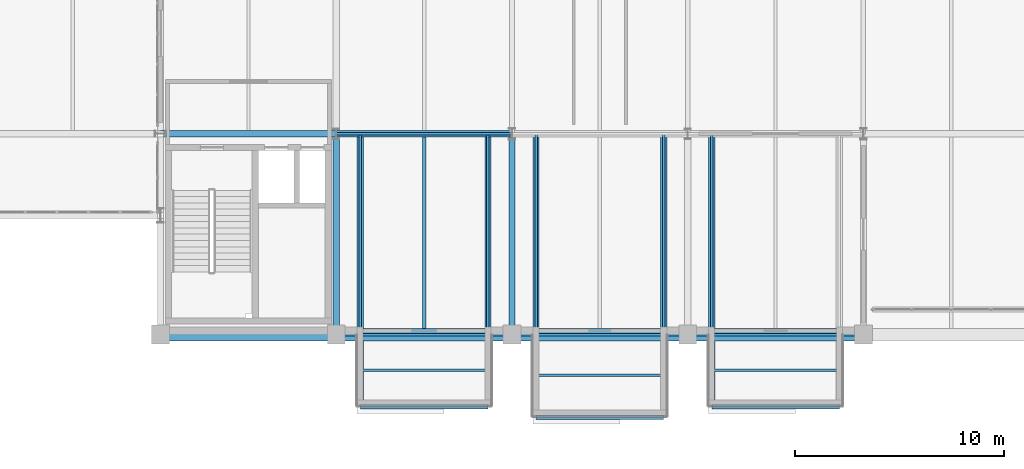
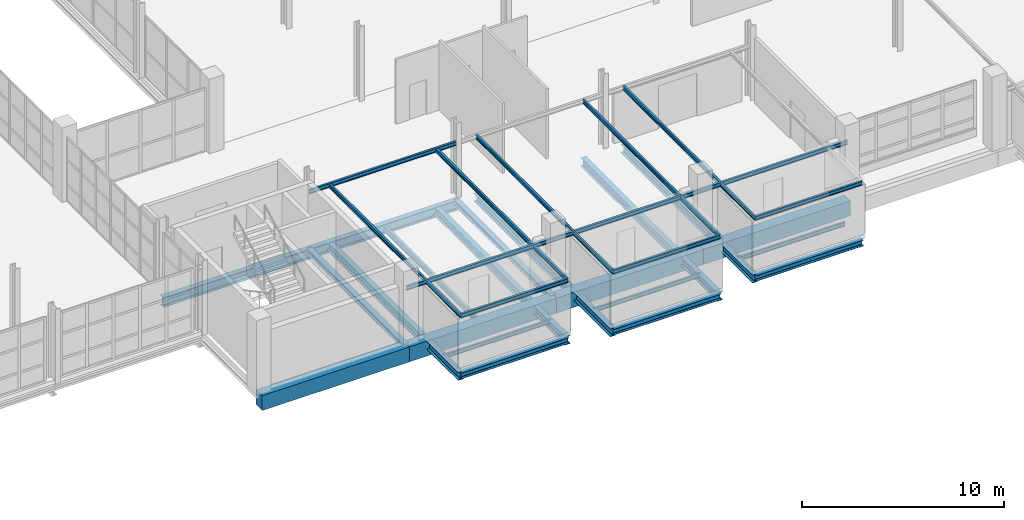
# One storey, part 22 of 109: 32 beams.
"""IFC4 building model written with IfcOpenShell, lengths in metres."""

import ifcopenshell
import ifcopenshell.guid

model = None  # the IFC model being written
_history = None  # IfcOwnerHistory: only IFC2X3 demands one
_inside = {}  # id of a spatial element -> (the spatial element, [elements in it])
_under = {}  # id of a project, library or spatial element -> (it, [spatial elements below it])
_declared = {}  # id of a project -> (the project, [libraries it declares])
_typed = {}  # id of a type object -> (the type object, [elements of that type])
_made_of = {}  # id of a material, layer set ... -> (it, [elements and type objects made of it])


def new_model(schema):
    """Start an empty IFC model of exactly this schema.

    Asked for "IFC4X3", IfcOpenShell would pick the latest addendum, in which some entities
    have other attributes; the version numbers below select the first issue.
    IFC2X3 requires an IfcOwnerHistory on every rooted entity: one is made here for all.
    """
    global model, _history
    if schema == "IFC4X3":
        model = ifcopenshell.file(schema_version=(4, 3, 0, 0))
    else:
        model = ifcopenshell.file(schema=schema)
    _inside.clear()
    _under.clear()
    _declared.clear()
    _typed.clear()
    _made_of.clear()
    _history = None
    if model.schema == "IFC2X3":
        org = make("IfcOrganization", Name="unknown")
        user = make(
            "IfcPersonAndOrganization",
            ThePerson=make("IfcPerson", FamilyName="unknown"),
            TheOrganization=org,
        )
        app = make(
            "IfcApplication",
            ApplicationDeveloper=org,
            Version="unknown",
            ApplicationFullName="unknown",
            ApplicationIdentifier="unknown",
        )
        _history = make(
            "IfcOwnerHistory",
            OwningUser=user,
            OwningApplication=app,
            ChangeAction="ADDED",
            CreationDate=0,
        )
    return model


def make(cls, **values):
    """One entity of the class cls with the attributes given. An attribute that is None is left unset."""
    return model.create_entity(
        cls, **{name: value for name, value in values.items() if value is not None}
    )


def rooted(cls, **values):
    """An entity with a GlobalId (a new one), such as an element, a storey or a relation."""
    return make(cls, GlobalId=ifcopenshell.guid.new(), OwnerHistory=_history, **values)


def si_unit(unit_type, name, prefix=None):
    """IfcSIUnit, for example si_unit("LENGTHUNIT", "METRE", prefix="MILLI")."""
    return make("IfcSIUnit", UnitType=unit_type, Prefix=prefix, Name=name)


def assignment(units):
    """IfcUnitAssignment: the units of a project."""
    return None if units is None else make("IfcUnitAssignment", Units=units)


def point(xyz):
    """IfcCartesianPoint."""
    return None if xyz is None else make("IfcCartesianPoint", Coordinates=xyz)


def direction(xyz):
    """IfcDirection."""
    return None if xyz is None else make("IfcDirection", DirectionRatios=xyz)


def frame(location, z_axis=None, x_axis=None):
    """IfcAxis2Placement3D, a coordinate frame: its origin and axes. An axis left out is left unset."""
    return make(
        "IfcAxis2Placement3D",
        Location=point(location),
        Axis=direction(z_axis),
        RefDirection=direction(x_axis),
    )


def frame_2d(location, x_axis=None):
    """IfcAxis2Placement2D, a coordinate frame in the plane: its origin and x axis."""
    return make(
        "IfcAxis2Placement2D", Location=point(location), RefDirection=direction(x_axis)
    )


def origin():
    """The frame at (0, 0, 0) with its axes left unset."""
    return frame((0.0, 0.0, 0.0))


def origin_2d():
    """The frame at (0, 0) in the plane with its x axis left unset."""
    return frame_2d((0.0, 0.0))


def place(relative_to, where):
    """IfcLocalPlacement: puts the frame where relative to a parent placement (None: the world)."""
    return make(
        "IfcLocalPlacement", PlacementRelTo=relative_to, RelativePlacement=where
    )


def context(
    kind, dimensions, precision=None, world=None, true_north=None, identifier=None
):
    """IfcGeometricRepresentationContext, for example the 3D "Model" context."""
    return make(
        "IfcGeometricRepresentationContext",
        ContextIdentifier=identifier,
        ContextType=kind,
        CoordinateSpaceDimension=dimensions,
        Precision=precision,
        WorldCoordinateSystem=world,
        TrueNorth=true_north,
    )


def subcontext(parent, identifier, kind, view, scale=None):
    """IfcGeometricRepresentationSubContext, for example "Body" below "Model"."""
    return make(
        "IfcGeometricRepresentationSubContext",
        ContextIdentifier=identifier,
        ContextType=kind,
        ParentContext=parent,
        TargetScale=scale,
        TargetView=view,
    )


def project(units=None, contexts=None):
    """IfcProject with its units and contexts."""
    return rooted(
        "IfcProject",
        Name="project",
        RepresentationContexts=contexts,
        UnitsInContext=assignment(units),
    )


def spatial(cls, under=None, at=None, **own):
    """A site, building, storey or space (cls), placed at a placement, below another one or the project."""
    s = rooted(cls, ObjectPlacement=at, **own)
    if under is not None:
        _under.setdefault(under.id(), (under, []))[1].append(s)
    return s


def profile(cls, at=None, kind="AREA", **sizes):
    """A parametric profile (cls). Its sizes go by their IFC names, for example OverallWidth=200.0."""
    return make(cls, ProfileType=kind, Position=at, **sizes)


def rectangle(**sizes):
    """IfcRectangleProfileDef."""
    return profile("IfcRectangleProfileDef", **sizes)


def i_section(**sizes):
    """IfcIShapeProfileDef."""
    return profile("IfcIShapeProfileDef", **sizes)


def extrude(swept, where, along, depth):
    """IfcExtrudedAreaSolid: the profile swept, set in the frame where, extruded along a direction by depth."""
    return make(
        "IfcExtrudedAreaSolid",
        SweptArea=swept,
        Position=where,
        ExtrudedDirection=direction(along),
        Depth=depth,
    )


def shape(context_of_items, identifier, shape_type, items):
    """IfcShapeRepresentation: the items that make up one representation, for example the "Body"."""
    return make(
        "IfcShapeRepresentation",
        ContextOfItems=context_of_items,
        RepresentationIdentifier=identifier,
        RepresentationType=shape_type,
        Items=items,
    )


def material(Name=None, Category=None):
    """IfcMaterial."""
    return make("IfcMaterial", Name=Name, Category=Category)


def material_profile(
    of_material, cross_section, Name=None, Category=None, Priority=None
):
    """IfcMaterialProfile: a cross section and its material."""
    return make(
        "IfcMaterialProfile",
        Name=Name,
        Material=of_material,
        Profile=cross_section,
        Priority=Priority,
        Category=Category,
    )


def profile_set(profiles, Name=None, composite=None):
    """IfcMaterialProfileSet."""
    return make(
        "IfcMaterialProfileSet",
        Name=Name,
        MaterialProfiles=profiles,
        CompositeProfile=composite,
    )


def made_of(thing, what):
    """Note that an element or type object is made of a material, layer set ...; save() writes the relation."""
    if what is not None:
        _made_of.setdefault(what.id(), (what, []))[1].append(thing)
    return thing


def type_object(cls, material=None, **own):
    """A type object (cls), such as IfcWallType, which elements share."""
    return made_of(rooted(cls, **own), material)


def element(
    cls,
    number,
    at=None,
    inside=None,
    cuts=None,
    type_object=None,
    material=None,
    context=None,
    identifier="Body",
    shape_type=None,
    held_by="IfcProductDefinitionShape",
    body=None,
    shapes=None,
    **own,
):
    """One element of the class cls, such as IfcWall. Its Tag is "e" and its number.

    at: its placement. inside: the storey or other place that contains it. cuts: it is an
    opening in that element (IfcRelVoidsElement). A single representation is given by context,
    identifier, shape_type and body (its items); several are given by shapes. held_by: the class
    of the entity that holds the representations. save() writes the other relations.
    """
    e = rooted(cls, Tag="e%d" % number, ObjectPlacement=at, **own)
    if body is not None:
        shapes = [shape(context, identifier, shape_type, body)]
    if shapes is not None:
        e.Representation = make(held_by, Representations=shapes)
    if inside is not None:
        _inside.setdefault(inside.id(), (inside, []))[1].append(e)
    if cuts is not None:
        rooted(
            "IfcRelVoidsElement", RelatingBuildingElement=cuts, RelatedOpeningElement=e
        )
    if type_object is not None:
        _typed.setdefault(type_object.id(), (type_object, []))[1].append(e)
    return made_of(e, material)


def aggregate(whole, parts):
    """IfcRelAggregates: a whole, such as a stair, and the parts it consists of."""
    return rooted("IfcRelAggregates", RelatingObject=whole, RelatedObjects=parts)


def save(model, path):
    """Write the relations noted so far, then the file.

    IfcRelAggregates (storeys below a building ...), IfcRelContainedInSpatialStructure (elements
    in a storey), IfcRelDefinesByType, IfcRelAssociatesMaterial and IfcRelDeclares: one each for
    every whole, place, type object, material and project.
    """
    for whole, parts in _under.values():
        aggregate(whole, parts)
    for where, things in _inside.values():
        rooted(
            "IfcRelContainedInSpatialStructure",
            RelatedElements=things,
            RelatingStructure=where,
        )
    for kind, things in _typed.values():
        rooted("IfcRelDefinesByType", RelatedObjects=things, RelatingType=kind)
    for what, things in _made_of.values():
        rooted("IfcRelAssociatesMaterial", RelatedObjects=things, RelatingMaterial=what)
    for by, libraries in _declared.values():
        rooted("IfcRelDeclares", RelatingContext=by, RelatedDefinitions=libraries)
    model.write(path)


model = new_model("IFC4")

# Units and contexts
model_context = context("Model", 3, precision=1e-05, world=origin(), true_north=direction((0.0, 1.0)))
body_context = subcontext(model_context, "Body", "Model", "MODEL_VIEW")
ifc_project = project(units=[si_unit("LENGTHUNIT", "METRE"), si_unit("AREAUNIT", "SQUARE_METRE"), si_unit("VOLUMEUNIT", "CUBIC_METRE"), si_unit("PLANEANGLEUNIT", "RADIAN"), si_unit("MASSUNIT", "GRAM", prefix="KILO")], contexts=[model_context])

# Site, building, storey
site_placement = place(None, origin())
site = spatial("IfcSite", under=ifc_project, at=site_placement, CompositionType="ELEMENT")
building_placement = place(site_placement, origin())
building = spatial("IfcBuilding", under=site, at=building_placement, Name="Veltarok Museum of Natural Sciences", CompositionType="ELEMENT")
storey_placement = place(building_placement, frame((0.0, 0.0, 17.39990234375)))
storey = spatial("IfcBuildingStorey", under=building, at=storey_placement, Name="L03", CompositionType="ELEMENT", Elevation=17.39990234375)

# Beams
ifc_material_1 = material(Name="Steel S355J2", Category="steel")
ifc_material_profile_1 = material_profile(ifc_material_1, i_section(OverallWidth=0.300048828125, OverallDepth=0.5, WebThickness=0.014404296875, FlangeThickness=0.028076171875, FilletRadius=0.027099609375, at=origin_2d()), Name="HEB 500")
ifc_profile_set_1 = profile_set([ifc_material_profile_1], Name="Steel S355J2")
beam_type_1 = type_object("IfcBeamType", Name="Cabinet Box Cantilever Girder HEB 500", PredefinedType="BEAM", material=ifc_profile_set_1)
for number, where, z_axis, x_axis, name in (
    (1, (41.14990234375, -3.39990234375, -0.5), (0.0, 1.0, 0.0), (-1.0, 0.0, 0.0), "Cabinet Cantilever Girder DB-13-1"),
    (2, (47.25, -3.39990234375, -0.5), (0.0, 1.0, 0.0), (-1.0, 0.0, 0.0), "Cabinet Cantilever Girder DB-13-2"),
):
    element("IfcBeam", number, at=place(storey_placement, frame(where, z_axis=z_axis, x_axis=x_axis)), inside=storey, type_object=beam_type_1, Name=name, PredefinedType="BEAM", context=body_context, shape_type="SweptSolid", body=[
        extrude(i_section(OverallWidth=0.300048828125, OverallDepth=0.5, WebThickness=0.014404296875, FlangeThickness=0.028076171875, FilletRadius=0.027099609375, at=origin_2d()), origin(), (0.0, 0.0, 1.0), 13.0),
    ])
for number, where, z_axis, x_axis, name in (
    (3, (49.550048828125, -3.89990234375, -0.5), (0.0, 1.0, 0.0), (-1.0, 0.0, 0.0), "Cabinet Cantilever Girder DB-14-1"),
    (4, (55.64990234375, -3.89990234375, -0.5), (0.0, 1.0, 0.0), (-1.0, 0.0, 0.0), "Cabinet Cantilever Girder DB-14-2"),
):
    element("IfcBeam", number, at=place(storey_placement, frame(where, z_axis=z_axis, x_axis=x_axis)), inside=storey, type_object=beam_type_1, Name=name, PredefinedType="BEAM", context=body_context, shape_type="SweptSolid", body=[
        extrude(i_section(OverallWidth=0.300048828125, OverallDepth=0.5, WebThickness=0.014404296875, FlangeThickness=0.028076171875, FilletRadius=0.027099609375, at=origin_2d()), origin(), (0.0, 0.0, 1.0), 13.5),
    ])
beam_1_placement = place(storey_placement, frame((57.949951171875, -3.39990234375, -0.5), z_axis=(0.0, 1.0, 0.0), x_axis=(-1.0, 0.0, 0.0)))
element("IfcBeam", 5, at=beam_1_placement, inside=storey, type_object=beam_type_1, Name="Cabinet Cantilever Girder DB-15-1", PredefinedType="BEAM", context=body_context, shape_type="SweptSolid", body=[
    extrude(i_section(OverallWidth=0.300048828125, OverallDepth=0.5, WebThickness=0.014404296875, FlangeThickness=0.028076171875, FilletRadius=0.027099609375, at=origin_2d()), origin(), (0.0, 0.0, 1.0), 13.0),
])
ifc_material_profile_2 = material_profile(ifc_material_1, i_section(OverallWidth=0.1201171875, OverallDepth=0.239990234375, WebThickness=0.006103515625, FlangeThickness=0.009765625, FilletRadius=0.014892578125, at=origin_2d()), Name="IPE 240")
ifc_profile_set_2 = profile_set([ifc_material_profile_2], Name="Steel S355J2")
beam_type_2 = type_object("IfcBeamType", Name="Cabinet Box Secondary Joist IPE 240", PredefinedType="JOIST", material=ifc_profile_set_2)
for number, where, z_axis, x_axis, name in (
    (6, (41.14990234375, -3.39990234375, 3.130126953125), (0.0, 1.0, 0.0), (-1.0, 0.0, 0.0), "Cabinet Roof Rafter DB-13-1"),
    (7, (47.25, -3.39990234375, 3.130126953125), (0.0, 1.0, 0.0), (-1.0, 0.0, 0.0), "Cabinet Roof Rafter DB-13-2"),
):
    element("IfcBeam", number, at=place(storey_placement, frame(where, z_axis=z_axis, x_axis=x_axis)), inside=storey, type_object=beam_type_2, Name=name, PredefinedType="JOIST", context=body_context, shape_type="SweptSolid", body=[
        extrude(i_section(OverallWidth=0.1201171875, OverallDepth=0.239990234375, WebThickness=0.006103515625, FlangeThickness=0.009765625, FilletRadius=0.014892578125, at=origin_2d()), origin(), (0.0, 0.0, 1.0), 13.0),
    ])
for number, where, z_axis, x_axis, name in (
    (8, (40.0, 0.0, 3.130126953125), (1.0, 0.0, 0.0), (0.0, 1.0, 0.0), "Cabinet Roof Tie Beam DB-13-P"),
    (9, (40.0, 9.60009765625, 3.130126953125), (1.0, 0.0, 0.0), (0.0, 1.0, 0.0), "Cabinet Roof Tie Beam DB-13-I"),
):
    element("IfcBeam", number, at=place(storey_placement, frame(where, z_axis=z_axis, x_axis=x_axis)), inside=storey, type_object=beam_type_2, Name=name, PredefinedType="JOIST", context=body_context, shape_type="SweptSolid", body=[
        extrude(i_section(OverallWidth=0.1201171875, OverallDepth=0.239990234375, WebThickness=0.006103515625, FlangeThickness=0.009765625, FilletRadius=0.014892578125, at=origin_2d()), origin(), (0.0, 0.0, 1.0), 8.39990234375),
    ])
for number, where, z_axis, x_axis, name in (
    (10, (41.14990234375, -3.39990234375, 3.130126953125), (1.0, 0.0, 0.0), (0.0, 1.0, 0.0), "Cabinet Roof Tip Header DB-13"),
    (11, (41.14990234375, -1.699951171875, -0.369873046875), (1.0, 0.0, 0.0), (0.0, 1.0, 0.0), "Cabinet Box Joist DB-13"),
):
    element("IfcBeam", number, at=place(storey_placement, frame(where, z_axis=z_axis, x_axis=x_axis)), inside=storey, type_object=beam_type_2, Name=name, PredefinedType="JOIST", context=body_context, shape_type="SweptSolid", body=[
        extrude(i_section(OverallWidth=0.1201171875, OverallDepth=0.239990234375, WebThickness=0.006103515625, FlangeThickness=0.009765625, FilletRadius=0.014892578125, at=origin_2d()), origin(), (0.0, 0.0, 1.0), 6.10009765625),
    ])
for number, where, z_axis, x_axis, name in (
    (12, (49.550048828125, -3.89990234375, 3.130126953125), (0.0, 1.0, 0.0), (-1.0, 0.0, 0.0), "Cabinet Roof Rafter DB-14-1"),
    (13, (55.64990234375, -3.89990234375, 3.130126953125), (0.0, 1.0, 0.0), (-1.0, 0.0, 0.0), "Cabinet Roof Rafter DB-14-2"),
):
    element("IfcBeam", number, at=place(storey_placement, frame(where, z_axis=z_axis, x_axis=x_axis)), inside=storey, type_object=beam_type_2, Name=name, PredefinedType="JOIST", context=body_context, shape_type="SweptSolid", body=[
        extrude(i_section(OverallWidth=0.1201171875, OverallDepth=0.239990234375, WebThickness=0.006103515625, FlangeThickness=0.009765625, FilletRadius=0.014892578125, at=origin_2d()), origin(), (0.0, 0.0, 1.0), 13.5),
    ])
beam_2_placement = place(storey_placement, frame((48.39990234375, 0.0, 3.130126953125), z_axis=(1.0, 0.0, 0.0), x_axis=(0.0, 1.0, 0.0)))
element("IfcBeam", 14, at=beam_2_placement, inside=storey, type_object=beam_type_2, Name="Cabinet Roof Tie Beam DB-14-P", PredefinedType="JOIST", context=body_context, shape_type="SweptSolid", body=[
    extrude(i_section(OverallWidth=0.1201171875, OverallDepth=0.239990234375, WebThickness=0.006103515625, FlangeThickness=0.009765625, FilletRadius=0.014892578125, at=origin_2d()), origin(), (0.0, 0.0, 1.0), 8.400146484375),
])
for number, where, z_axis, x_axis, name in (
    (15, (49.550048828125, -3.89990234375, 3.130126953125), (1.0, 0.0, 0.0), (0.0, 1.0, 0.0), "Cabinet Roof Tip Header DB-14"),
    (16, (49.550048828125, -1.949951171875, -0.369873046875), (1.0, 0.0, 0.0), (0.0, 1.0, 0.0), "Cabinet Box Joist DB-14"),
):
    element("IfcBeam", number, at=place(storey_placement, frame(where, z_axis=z_axis, x_axis=x_axis)), inside=storey, type_object=beam_type_2, Name=name, PredefinedType="JOIST", context=body_context, shape_type="SweptSolid", body=[
        extrude(i_section(OverallWidth=0.1201171875, OverallDepth=0.239990234375, WebThickness=0.006103515625, FlangeThickness=0.009765625, FilletRadius=0.014892578125, at=origin_2d()), origin(), (0.0, 0.0, 1.0), 6.099853515625),
    ])
beam_3_placement = place(storey_placement, frame((57.949951171875, -3.39990234375, 3.130126953125), z_axis=(0.0, 1.0, 0.0), x_axis=(-1.0, 0.0, 0.0)))
element("IfcBeam", 17, at=beam_3_placement, inside=storey, type_object=beam_type_2, Name="Cabinet Roof Rafter DB-15-1", PredefinedType="JOIST", context=body_context, shape_type="SweptSolid", body=[
    extrude(i_section(OverallWidth=0.1201171875, OverallDepth=0.239990234375, WebThickness=0.006103515625, FlangeThickness=0.009765625, FilletRadius=0.014892578125, at=origin_2d()), origin(), (0.0, 0.0, 1.0), 13.0),
])
beam_4_placement = place(storey_placement, frame((56.800048828125, 0.0, 3.130126953125), z_axis=(1.0, 0.0, 0.0), x_axis=(0.0, 1.0, 0.0)))
element("IfcBeam", 18, at=beam_4_placement, inside=storey, type_object=beam_type_2, Name="Cabinet Roof Tie Beam DB-15-P", PredefinedType="JOIST", context=body_context, shape_type="SweptSolid", body=[
    extrude(i_section(OverallWidth=0.1201171875, OverallDepth=0.239990234375, WebThickness=0.006103515625, FlangeThickness=0.009765625, FilletRadius=0.014892578125, at=origin_2d()), origin(), (0.0, 0.0, 1.0), 8.39990234375),
])
for number, where, z_axis, x_axis, name in (
    (19, (57.949951171875, -3.39990234375, 3.130126953125), (1.0, 0.0, 0.0), (0.0, 1.0, 0.0), "Cabinet Roof Tip Header DB-15"),
    (20, (57.949951171875, -1.699951171875, -0.369873046875), (1.0, 0.0, 0.0), (0.0, 1.0, 0.0), "Cabinet Box Joist DB-15"),
):
    element("IfcBeam", number, at=place(storey_placement, frame(where, z_axis=z_axis, x_axis=x_axis)), inside=storey, type_object=beam_type_2, Name=name, PredefinedType="JOIST", context=body_context, shape_type="SweptSolid", body=[
        extrude(i_section(OverallWidth=0.1201171875, OverallDepth=0.239990234375, WebThickness=0.006103515625, FlangeThickness=0.009765625, FilletRadius=0.014892578125, at=origin_2d()), origin(), (0.0, 0.0, 1.0), 6.10009765625),
    ])
ifc_material_profile_3 = material_profile(ifc_material_1, i_section(OverallWidth=0.300048828125, OverallDepth=0.35009765625, WebThickness=0.010009765625, FlangeThickness=0.017578125, FilletRadius=0.027099609375, at=origin_2d()), Name="HEA 360")
ifc_profile_set_3 = profile_set([ifc_material_profile_3], Name="Steel S355J2")
beam_type_3 = type_object("IfcBeamType", Name="Cabinet Box Tip Header HEA 360", PredefinedType="BEAM", material=ifc_profile_set_3)
beam_5_placement = place(storey_placement, frame((41.14990234375, -3.39990234375, -0.4248046875), z_axis=(1.0, 0.0, 0.0), x_axis=(0.0, 1.0, 0.0)))
element("IfcBeam", 21, at=beam_5_placement, inside=storey, type_object=beam_type_3, Name="Cabinet Tip Header DB-13", PredefinedType="BEAM", context=body_context, shape_type="SweptSolid", body=[
    extrude(i_section(OverallWidth=0.300048828125, OverallDepth=0.35009765625, WebThickness=0.010009765625, FlangeThickness=0.017578125, FilletRadius=0.027099609375, at=origin_2d()), origin(), (0.0, 0.0, 1.0), 6.10009765625),
])
beam_6_placement = place(storey_placement, frame((49.550048828125, -3.89990234375, -0.4248046875), z_axis=(1.0, 0.0, 0.0), x_axis=(0.0, 1.0, 0.0)))
element("IfcBeam", 22, at=beam_6_placement, inside=storey, type_object=beam_type_3, Name="Cabinet Tip Header DB-14", PredefinedType="BEAM", context=body_context, shape_type="SweptSolid", body=[
    extrude(i_section(OverallWidth=0.300048828125, OverallDepth=0.35009765625, WebThickness=0.010009765625, FlangeThickness=0.017578125, FilletRadius=0.027099609375, at=origin_2d()), origin(), (0.0, 0.0, 1.0), 6.099853515625),
])
beam_7_placement = place(storey_placement, frame((57.949951171875, -3.39990234375, -0.4248046875), z_axis=(1.0, 0.0, 0.0), x_axis=(0.0, 1.0, 0.0)))
element("IfcBeam", 23, at=beam_7_placement, inside=storey, type_object=beam_type_3, Name="Cabinet Tip Header DB-15", PredefinedType="BEAM", context=body_context, shape_type="SweptSolid", body=[
    extrude(i_section(OverallWidth=0.300048828125, OverallDepth=0.35009765625, WebThickness=0.010009765625, FlangeThickness=0.017578125, FilletRadius=0.027099609375, at=origin_2d()), origin(), (0.0, 0.0, 1.0), 6.10009765625),
])
ifc_material_2 = material(Name="Concrete C40/50", Category="concrete")
ifc_material_profile_4 = material_profile(ifc_material_2, rectangle(XDim=0.60009765625, YDim=0.89990234375, at=origin_2d()), Name="RC 600x900")
ifc_profile_set_4 = profile_set([ifc_material_profile_4], Name="Concrete C40/50")
beam_type_4 = type_object("IfcBeamType", Name="Exposed Cabinet Perimeter Spandrel RC 600x900", PredefinedType="SPANDREL", material=ifc_profile_set_4)
for number, where, z_axis, x_axis, name in (
    (24, (31.60009765625, 0.0, -0.699951171875), (1.0, 0.0, 0.0), (0.0, 1.0, 0.0), "Beam BM-SP01 L03 4-5/A"),
    (25, (40.0, 0.0, -0.699951171875), (1.0, 0.0, 0.0), (0.0, 1.0, 0.0), "Beam BM-SP01 L03 5-6/A"),
):
    element("IfcBeam", number, at=place(storey_placement, frame(where, z_axis=z_axis, x_axis=x_axis)), inside=storey, type_object=beam_type_4, Name=name, PredefinedType="SPANDREL", context=body_context, shape_type="SweptSolid", body=[
        extrude(rectangle(XDim=0.60009765625, YDim=0.89990234375, at=origin_2d()), origin(), (0.0, 0.0, 1.0), 8.39990234375),
    ])
beam_8_placement = place(storey_placement, frame((48.39990234375, 0.0, -0.699951171875), z_axis=(1.0, 0.0, 0.0), x_axis=(0.0, 1.0, 0.0)))
element("IfcBeam", 26, at=beam_8_placement, inside=storey, type_object=beam_type_4, Name="Beam BM-SP01 L03 6-7/A", PredefinedType="SPANDREL", context=body_context, shape_type="SweptSolid", body=[
    extrude(rectangle(XDim=0.60009765625, YDim=0.89990234375, at=origin_2d()), origin(), (0.0, 0.0, 1.0), 8.400146484375),
])
beam_9_placement = place(storey_placement, frame((56.800048828125, 0.0, -0.699951171875), z_axis=(1.0, 0.0, 0.0), x_axis=(0.0, 1.0, 0.0)))
element("IfcBeam", 27, at=beam_9_placement, inside=storey, type_object=beam_type_4, Name="Beam BM-SP01 L03 7-8/A", PredefinedType="SPANDREL", context=body_context, shape_type="SweptSolid", body=[
    extrude(rectangle(XDim=0.60009765625, YDim=0.89990234375, at=origin_2d()), origin(), (0.0, 0.0, 1.0), 8.39990234375),
])
ifc_material_profile_5 = material_profile(ifc_material_1, i_section(OverallWidth=0.300048828125, OverallDepth=0.590087890625, WebThickness=0.012939453125, FlangeThickness=0.02490234375, FilletRadius=0.027099609375, at=origin_2d()), Name="HEA 600")
ifc_profile_set_5 = profile_set([ifc_material_profile_5], Name="Steel S355J2")
beam_type_5 = type_object("IfcBeamType", Name="Heavy Archive Girder HEA 600", PredefinedType="BEAM", material=ifc_profile_set_5)
for number, where, z_axis, x_axis, name in (
    (28, (31.60009765625, 9.60009765625, -0.544921875), (1.0, 0.0, 0.0), (0.0, 1.0, 0.0), "Beam BM-G07 L03 4-5/B"),
    (29, (40.0, 9.60009765625, -0.544921875), (1.0, 0.0, 0.0), (0.0, 1.0, 0.0), "Beam BM-G07 L03 5-6/B"),
):
    element("IfcBeam", number, at=place(storey_placement, frame(where, z_axis=z_axis, x_axis=x_axis)), inside=storey, type_object=beam_type_5, Name=name, PredefinedType="BEAM", context=body_context, shape_type="SweptSolid", body=[
        extrude(i_section(OverallWidth=0.300048828125, OverallDepth=0.590087890625, WebThickness=0.012939453125, FlangeThickness=0.02490234375, FilletRadius=0.027099609375, at=origin_2d()), origin(), (0.0, 0.0, 1.0), 8.39990234375),
    ])
ifc_material_profile_6 = material_profile(ifc_material_1, i_section(OverallWidth=0.159912109375, OverallDepth=0.330078125, WebThickness=0.007568359375, FlangeThickness=0.011474609375, FilletRadius=0.01806640625, at=origin_2d()), Name="IPE 330")
ifc_profile_set_6 = profile_set([ifc_material_profile_6], Name="Steel S355J2")
beam_type_6 = type_object("IfcBeamType", Name="Medium-Bay Composite Joist IPE 330", PredefinedType="JOIST", material=ifc_profile_set_6)
beam_10_placement = place(storey_placement, frame((44.199951171875, 0.298095703125, -0.414794921875), z_axis=(0.0, 1.0, 0.0), x_axis=(-1.0, 0.0, 0.0)))
element("IfcBeam", 30, at=beam_10_placement, inside=storey, type_object=beam_type_6, Name="Secondary Joist BM-J02 L03 5-6/A-B.1", PredefinedType="JOIST", context=body_context, shape_type="SweptSolid", body=[
    extrude(i_section(OverallWidth=0.159912109375, OverallDepth=0.330078125, WebThickness=0.007568359375, FlangeThickness=0.011474609375, FilletRadius=0.01806640625, at=origin_2d()), origin(), (0.0, 0.0, 1.0), 9.15380859375),
])
ifc_material_profile_7 = material_profile(ifc_material_1, i_section(OverallWidth=0.300048828125, OverallDepth=0.31005859375, WebThickness=0.009033203125, FlangeThickness=0.015380859375, FilletRadius=0.027099609375, at=origin_2d()), Name="HEA 320")
ifc_profile_set_7 = profile_set([ifc_material_profile_7], Name="Steel S355J2")
beam_type_7 = type_object("IfcBeamType", Name="Perimeter Edge Spandrel HEA 320", PredefinedType="SPANDREL", material=ifc_profile_set_7)
for number, where, z_axis, x_axis, name in (
    (31, (40.0, 0.0, -0.40478515625), (0.0, 1.0, 0.0), (-1.0, 0.0, 0.0), "Beam BM-SP04 L03 5/A-B"),
    (32, (48.39990234375, 0.0, -0.40478515625), (0.0, 1.0, 0.0), (-1.0, 0.0, 0.0), "Beam BM-SP04 L03 6/A-B"),
):
    element("IfcBeam", number, at=place(storey_placement, frame(where, z_axis=z_axis, x_axis=x_axis)), inside=storey, type_object=beam_type_7, Name=name, PredefinedType="SPANDREL", context=body_context, shape_type="SweptSolid", body=[
        extrude(i_section(OverallWidth=0.300048828125, OverallDepth=0.31005859375, WebThickness=0.009033203125, FlangeThickness=0.015380859375, FilletRadius=0.027099609375, at=origin_2d()), origin(), (0.0, 0.0, 1.0), 9.60009765625),
    ])

save(model, "model.ifc")
